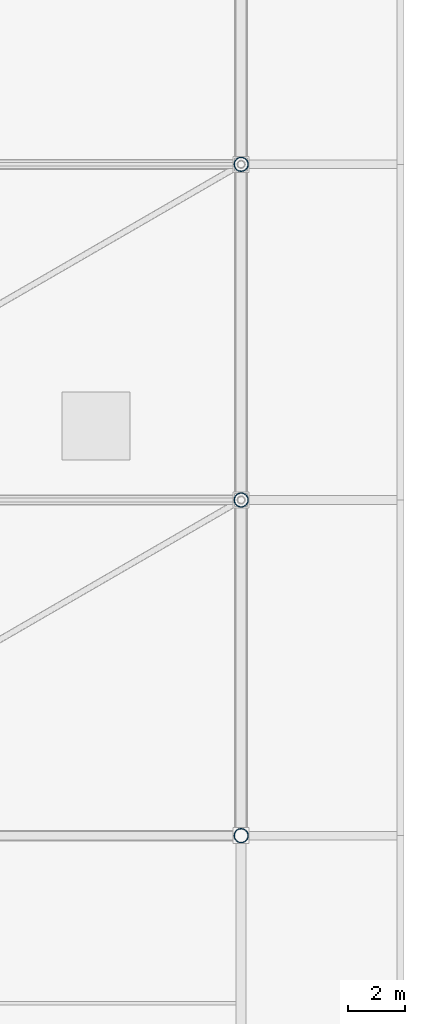
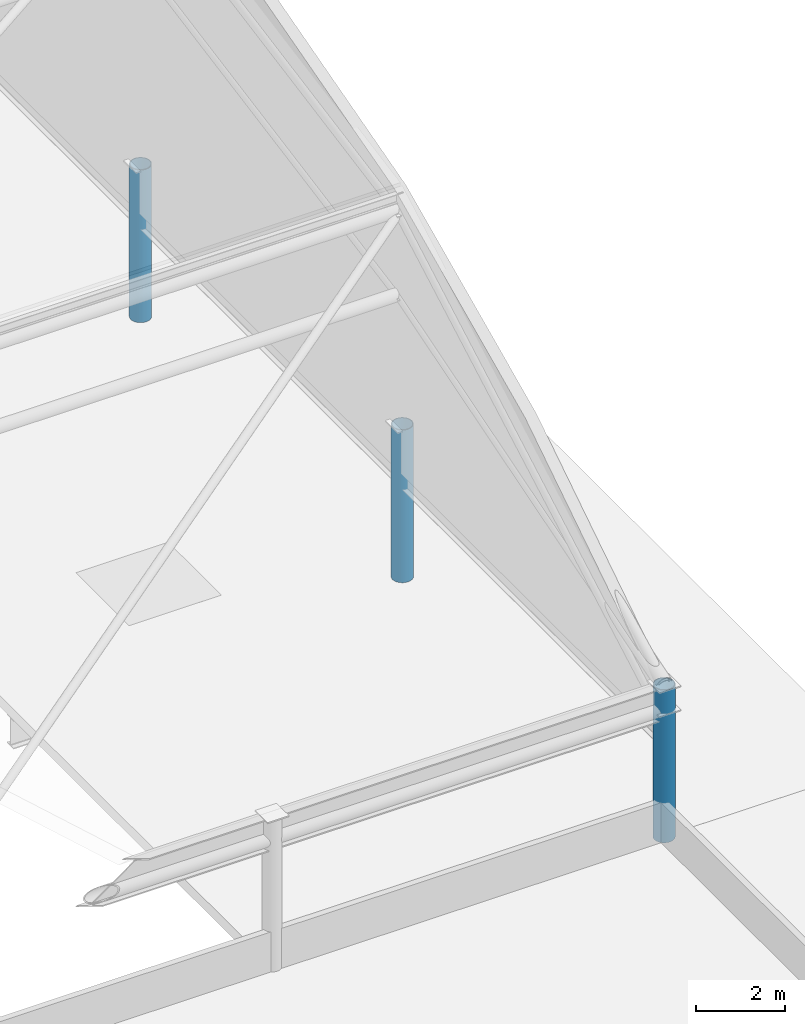
# One storey, part 11 of 135: 3 columns.
"""IFC4 building model written with IfcOpenShell, lengths in metres."""

from ifc_helpers import new_model, si_unit, direction, frame, origin, origin_2d, place, context, subcontext, project, spatial, hollow_circle, extrude, material, material_profile, profile_set, type_object, element, save


model = new_model("IFC4")

# Units and contexts
model_context = context("Model", 3, precision=1e-05, world=origin(), true_north=direction((0.0, 1.0)))
body_context = subcontext(model_context, "Body", "Model", "MODEL_VIEW")
ifc_project = project(units=[si_unit("LENGTHUNIT", "METRE"), si_unit("AREAUNIT", "SQUARE_METRE"), si_unit("VOLUMEUNIT", "CUBIC_METRE"), si_unit("PLANEANGLEUNIT", "RADIAN"), si_unit("MASSUNIT", "GRAM", prefix="KILO")], contexts=[model_context])

# Site, building, storey
site_placement = place(None, origin())
site = spatial("IfcSite", under=ifc_project, at=site_placement, CompositionType="ELEMENT")
building_placement = place(site_placement, origin())
building = spatial("IfcBuilding", under=site, at=building_placement, Name="Brelvane Convention Centre", CompositionType="ELEMENT")
storey_placement = place(building_placement, frame((0.0, 0.0, 15.0)))
storey = spatial("IfcBuildingStorey", under=building, at=storey_placement, Name="L03", CompositionType="ELEMENT", Elevation=15.0)

# Columns
ifc_material = material(Name="Steel E450 (450 MPa)", Category="steel")
ifc_material_profile = material_profile(ifc_material, hollow_circle(Radius=0.25390625, WallThickness=0.02001953125, at=origin_2d()), Name="CHS 508.0x20.0")
ifc_profile_set = profile_set([ifc_material_profile], Name="Steel E450 (450 MPa)")
column_type = type_object("IfcColumnType", Name="Steel Column C-ST2 (CHS 508.0x20.0)", PredefinedType="COLUMN", material=ifc_profile_set)
for number, where, z_axis, x_axis, name in (
    (1, (224.39990234375, 40.60009765625, 0.0), (0.0, 0.0, 1.0), (1.0, 0.0, 0.0), "Column 23-E (L03)"),
    (2, (224.39990234375, 52.39990234375, 0.0), (0.0, 0.0, 1.0), (1.0, 0.0, 0.0), "Column 23-F (L03)"),
    (3, (224.39990234375, 64.199951171875, 0.0), (0.0, 0.0, 1.0), (1.0, 0.0, 0.0), "Column 23-G (L03)"),
):
    element("IfcColumn", number, at=place(storey_placement, frame(where, z_axis=z_axis, x_axis=x_axis)), inside=storey, type_object=column_type, Name=name, PredefinedType="COLUMN", context=body_context, shape_type="SweptSolid", body=[
        extrude(hollow_circle(Radius=0.25390625, WallThickness=0.02001953125, at=origin_2d()), origin(), (0.0, 0.0, 1.0), 4.199951171875),
    ])

save(model, "model.ifc")
